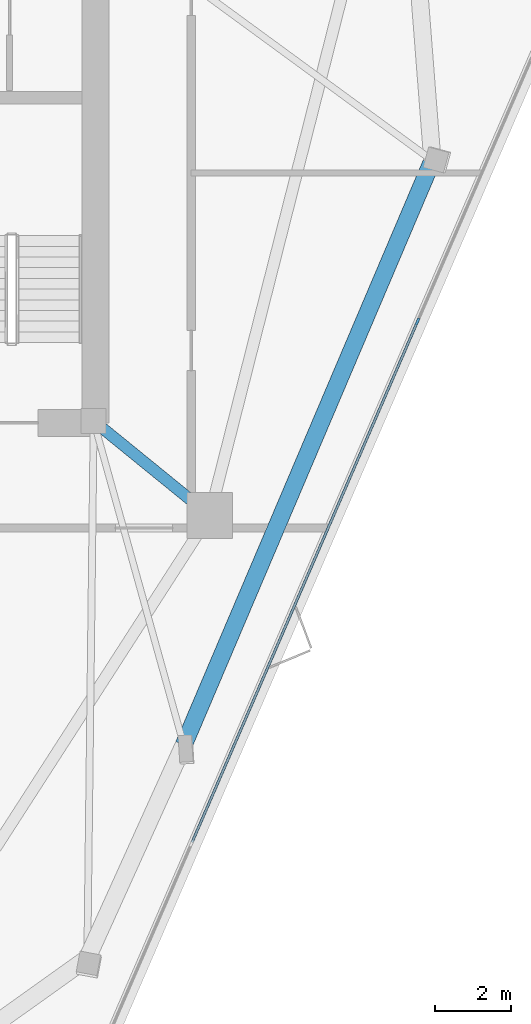
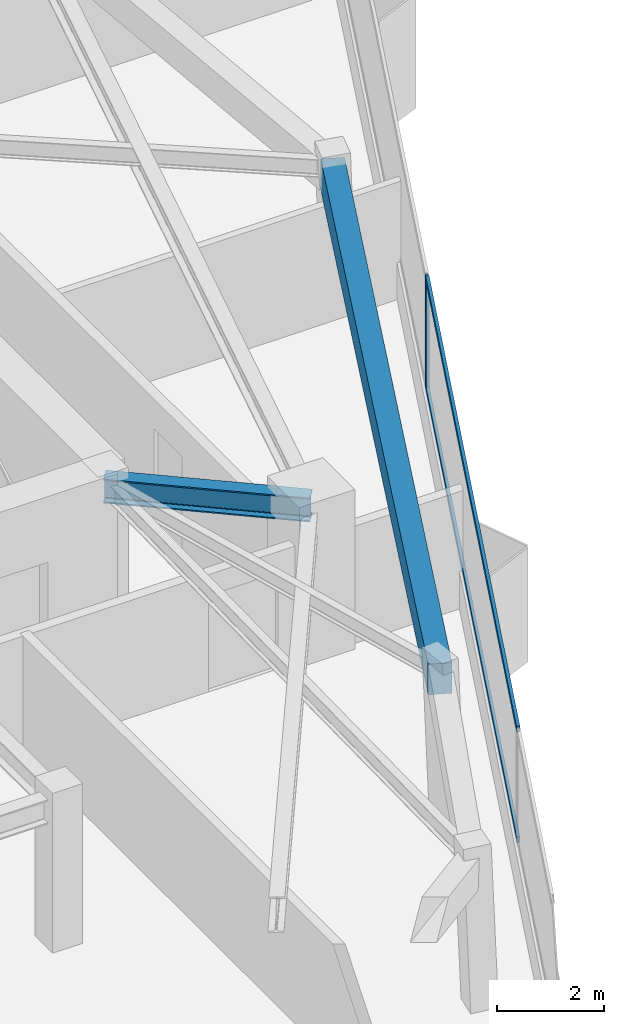
# One storey, part 4 of 11: 3 members, 2 beams, 1 element without a shape of its own.
"""IFC4 building model written with IfcOpenShell, lengths in metres."""

from ifc_helpers import new_model, si_unit, direction, frame, origin, origin_2d, place, context, subcontext, project, spatial, rectangle, i_section, extrude, material, layer, layer_set, material_profile, profile_set, type_object, element, aggregate, save


model = new_model("IFC4")

# Units and contexts
model_context = context("Model", 3, precision=1e-05, world=origin(), true_north=direction((0.0, 1.0)))
body_context = subcontext(model_context, "Body", "Model", "MODEL_VIEW")
ifc_project = project(units=[si_unit("LENGTHUNIT", "METRE"), si_unit("AREAUNIT", "SQUARE_METRE"), si_unit("VOLUMEUNIT", "CUBIC_METRE"), si_unit("PLANEANGLEUNIT", "RADIAN"), si_unit("MASSUNIT", "GRAM", prefix="KILO")], contexts=[model_context])

# Site, building, storey
site_placement = place(None, origin())
site = spatial("IfcSite", under=ifc_project, at=site_placement, CompositionType="ELEMENT")
building_placement = place(site_placement, origin())
building = spatial("IfcBuilding", under=site, at=building_placement, Name="Talyreon Biosciences Tower", CompositionType="ELEMENT")
storey_placement = place(building_placement, frame((0.0, 0.0, 264.449951171875)))
storey = spatial("IfcBuildingStorey", under=building, at=storey_placement, Name="L70", CompositionType="ELEMENT", Elevation=264.449951171875)

# Curtain wall, members
ifc_material_1 = material(Name="Thermally broken aluminium and low-E glazing", Category="aluminium")
ifc_layer = layer(ifc_material_1, 0.175048828125)
ifc_layer_set = layer_set([ifc_layer], Name="Thermally broken aluminium and low-E glazing")
curtain_wall_type = type_object("IfcCurtainWallType", Name="CurtainWall_Zone5CompLab", PredefinedType="NOTDEFINED", material=ifc_layer_set)
curtain_wall_placement = place(storey_placement, origin())
curtain_wall = element("IfcCurtainWall", 1, at=curtain_wall_placement, inside=storey, type_object=curtain_wall_type, Name="L70 Unitised Curtain Wall FCW-L70-08", PredefinedType="NOTDEFINED")
ifc_material_2 = material(Name="Anodised thermally broken aluminium", Category="aluminium")
ifc_material_profile_1 = material_profile(ifc_material_2, rectangle(XDim=0.06494140625, YDim=0.179931640625, at=origin_2d()), Name="ALUM MULLION 65x180")
ifc_profile_set_1 = profile_set([ifc_material_profile_1], Name="Anodised thermally broken aluminium")
member_type_1 = type_object("IfcMemberType", Name="CWMullion_65x180", PredefinedType="MULLION", material=ifc_profile_set_1)
member_1_placement = place(storey_placement, frame((82.5244140625, 63.95654296875, 0.81005859375), z_axis=(0.0, 0.0, 1.0), x_axis=(0.917723103703, -0.397220725706, 0.0)))
member_1 = element("IfcMember", 2, at=member_1_placement, type_object=member_type_1, Name="CW6 mullion 2", PredefinedType="MULLION", context=body_context, shape_type="SweptSolid", body=[
    extrude(rectangle(XDim=0.06494140625, YDim=0.179931640625, at=origin_2d()), origin(), (0.0, 0.0, 1.0), 2.590087890625),
])
ifc_material_profile_2 = material_profile(ifc_material_2, rectangle(XDim=0.06494140625, YDim=0.139892578125, at=origin_2d()), Name="ALUM TRANSOM 65x140")
ifc_profile_set_2 = profile_set([ifc_material_profile_2], Name="Anodised thermally broken aluminium")
member_type_2 = type_object("IfcMemberType", Name="CWTransom_65x140", PredefinedType="USERDEFINED", material=ifc_profile_set_2)
member_2_placement = place(storey_placement, frame((82.511474609375, 63.9267578125, 0.842529296875), z_axis=(-0.397219071365, -0.917723819754, 0.0), x_axis=(0.917723819754, -0.397219071365, 0.0)))
member_2 = element("IfcMember", 3, at=member_2_placement, type_object=member_type_2, Name="CW6 transom 2.1", ObjectType="TRANSOM", PredefinedType="USERDEFINED", context=body_context, shape_type="SweptSolid", body=[
    extrude(rectangle(XDim=0.06494140625, YDim=0.139892578125, at=origin_2d()), origin(), (0.0, 0.0, 1.0), 14.820556640625),
])
member_3_placement = place(storey_placement, frame((82.511474609375, 63.9267578125, 3.367431640625), z_axis=(-0.397219071365, -0.917723819754, 0.0), x_axis=(0.917723819754, -0.397219071365, 0.0)))
member_3 = element("IfcMember", 4, at=member_3_placement, type_object=member_type_2, Name="CW6 transom 2.2", ObjectType="TRANSOM", PredefinedType="USERDEFINED", context=body_context, shape_type="SweptSolid", body=[
    extrude(rectangle(XDim=0.06494140625, YDim=0.139892578125, at=origin_2d()), origin(), (0.0, 0.0, 1.0), 14.820556640625),
])
aggregate(curtain_wall, [member_1, member_2, member_3])

# Beams
ifc_material_3 = material(Name="Precast concrete C45/55", Category="concrete")
ifc_material_profile_3 = material_profile(ifc_material_3, rectangle(XDim=0.449951171875, YDim=0.699951171875, at=origin_2d()), Name="RCB 450x700")
ifc_profile_set_3 = profile_set([ifc_material_profile_3], Name="Precast concrete C45/55")
beam_type_1 = type_object("IfcBeamType", Name="ExpressedSpandrel_450x700", PredefinedType="SPANDREL", material=ifc_profile_set_3)
beam_1_placement = place(storey_placement, frame((76.406494140625, 52.873291015625, 3.050048828125), z_axis=(0.39145512366, 0.920197199605, 0.0), x_axis=(-0.920197199605, 0.39145512366, 0.0)))
element("IfcBeam", 5, at=beam_1_placement, inside=storey, type_object=beam_type_1, Name="L70 Expressed Horizontal Concrete Spandrel 03", PredefinedType="SPANDREL", context=body_context, shape_type="SweptSolid", body=[
    extrude(rectangle(XDim=0.449951171875, YDim=0.699951171875, at=origin_2d()), origin(), (0.0, 0.0, 1.0), 16.618408203125),
])
ifc_material_4 = material(Name="Steel SM355", Category="steel")
ifc_material_profile_4 = material_profile(ifc_material_4, i_section(OverallWidth=0.300048828125, OverallDepth=0.550048828125, WebThickness=0.014892578125, FlangeThickness=0.029052734375, FilletRadius=0.027099609375, at=origin_2d()), Name="HE550B")
ifc_profile_set_4 = profile_set([ifc_material_profile_4], Name="Steel SM355")
beam_type_2 = type_object("IfcBeamType", Name="SteelBeam_HE550B", PredefinedType="BEAM", material=ifc_profile_set_4)
beam_2_placement = place(storey_placement, frame((74.050048828125, 61.35009765625, 3.125), z_axis=(0.775755154013, -0.631034025249, 0.0), x_axis=(0.631034025249, 0.775755154013, 0.0)))
element("IfcBeam", 6, at=beam_2_placement, inside=storey, type_object=beam_type_2, Name="L70 Radial Primary Girder 2", PredefinedType="BEAM", context=body_context, shape_type="SweptSolid", body=[
    extrude(i_section(OverallWidth=0.300048828125, OverallDepth=0.550048828125, WebThickness=0.014892578125, FlangeThickness=0.029052734375, FilletRadius=0.027099609375, at=origin_2d()), origin(), (0.0, 0.0, 1.0), 3.913818359375),
])

save(model, "model.ifc")
